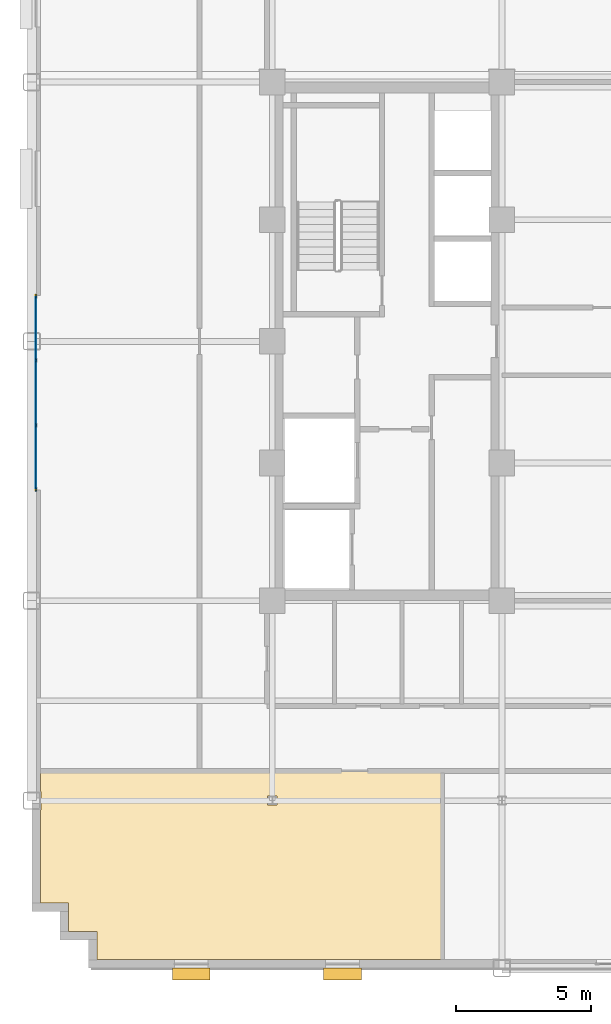
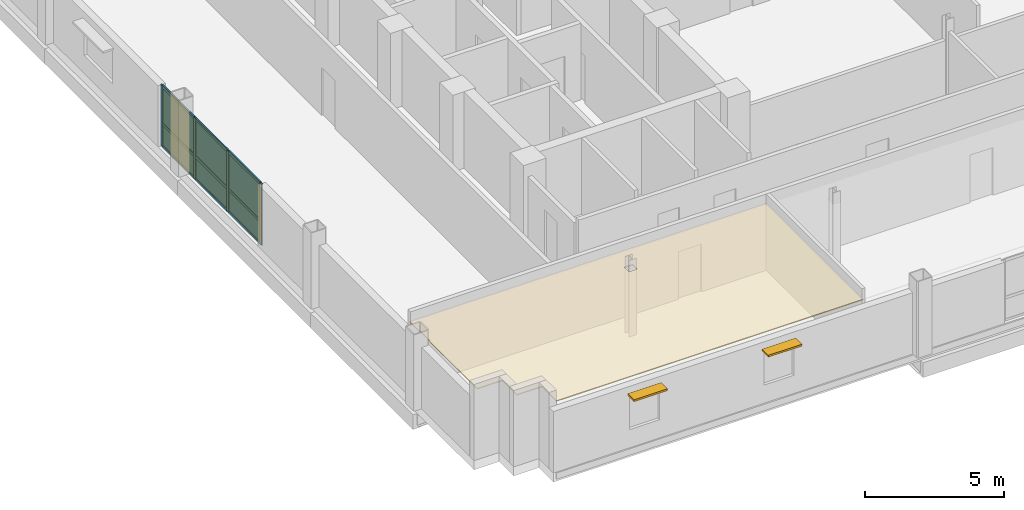
# One storey, part 12 of 17: 13 members, 6 plates, 2 shading devices, 1 covering, 1 curtain wall.
"""IFC4 building model written with IfcOpenShell, lengths in metres."""

from ifc_helpers import new_model, si_unit, direction, frame, frame_2d, origin, origin_2d, place, context, subcontext, project, spatial, polyline, rectangle, outline, extrude, source, transform, mapped, material, layer, layer_set, material_profile, profile_set, type_object, type_shapes, element, aggregate, save


model = new_model("IFC4")

# Units and contexts
model_context = context("Model", 3, precision=1e-05, world=origin(), true_north=direction((0.0, 1.0)))
body_context = subcontext(model_context, "Body", "Model", "MODEL_VIEW")
ifc_project = project(units=[si_unit("LENGTHUNIT", "METRE"), si_unit("AREAUNIT", "SQUARE_METRE"), si_unit("VOLUMEUNIT", "CUBIC_METRE"), si_unit("PLANEANGLEUNIT", "RADIAN"), si_unit("MASSUNIT", "GRAM", prefix="KILO")], contexts=[model_context])

# Member
ifc_material_1 = material(Name="Anodised aluminium 6063-T6", Category="aluminium")
ifc_material_profile_1 = material_profile(ifc_material_1, rectangle(XDim=0.06005859375, YDim=0.14990234375, at=origin_2d()), Name="ALU-MULL-60x150")
ifc_profile_set_1 = profile_set([ifc_material_profile_1], Name="Anodised aluminium 6063-T6")
member_type_1 = type_object("IfcMemberType", Name="CWM-4", PredefinedType="MULLION", material=ifc_profile_set_1)
site_placement = place(None, origin())
building_placement = place(site_placement, origin())
storey_placement = place(building_placement, frame((0.0, 0.0, 167.64990234375)))
member_1_placement = place(storey_placement, frame((-26.2451171875, -5.469970703125, 0.0), z_axis=(0.0, 0.0, 1.0), x_axis=(-1.0, 0.0, 0.0)))
member_1 = element("IfcMember", 1, at=member_1_placement, type_object=member_type_1, Name="CWS-4 mullion 1", PredefinedType="MULLION", context=body_context, shape_type="SweptSolid", body=[
    extrude(rectangle(XDim=0.06005859375, YDim=0.14990234375, at=origin_2d()), origin(), (0.0, 0.0, 1.0), 2.705078125),
])

member_2_placement = place(storey_placement, frame((-26.2451171875, -3.10009765625, 0.0), z_axis=(0.0, 0.0, 1.0), x_axis=(-1.0, 0.0, 0.0)))
member_2 = element("IfcMember", 2, at=member_2_placement, type_object=member_type_1, Name="CWS-4 mullion 2", PredefinedType="MULLION", context=body_context, shape_type="SweptSolid", body=[
    extrude(rectangle(XDim=0.06005859375, YDim=0.14990234375, at=origin_2d()), origin(), (0.0, 0.0, 1.0), 2.705078125),
])

member_3_placement = place(storey_placement, frame((-26.2451171875, -0.699951171875, 0.0), z_axis=(0.0, 0.0, 1.0), x_axis=(-1.0, 0.0, 0.0)))
member_3 = element("IfcMember", 3, at=member_3_placement, type_object=member_type_1, Name="CWS-4 mullion 3", PredefinedType="MULLION", context=body_context, shape_type="SweptSolid", body=[
    extrude(rectangle(XDim=0.06005859375, YDim=0.14990234375, at=origin_2d()), origin(), (0.0, 0.0, 1.0), 2.705078125),
])

member_4_placement = place(storey_placement, frame((-26.2451171875, 1.669921875, 0.0), z_axis=(0.0, 0.0, 1.0), x_axis=(-1.0, 0.0, 0.0)))
member_4 = element("IfcMember", 4, at=member_4_placement, type_object=member_type_1, Name="CWS-4 mullion 4", PredefinedType="MULLION", context=body_context, shape_type="SweptSolid", body=[
    extrude(rectangle(XDim=0.06005859375, YDim=0.14990234375, at=origin_2d()), origin(), (0.0, 0.0, 1.0), 2.705078125),
])

ifc_material_profile_2 = material_profile(ifc_material_1, rectangle(XDim=0.06005859375, YDim=0.1201171875, at=origin_2d()), Name="ALU-TRAN-60x120")
ifc_profile_set_2 = profile_set([ifc_material_profile_2], Name="Anodised aluminium 6063-T6")
member_type_2 = type_object("IfcMemberType", Name="CWT-4", PredefinedType="USERDEFINED", material=ifc_profile_set_2)
member_5_placement = place(storey_placement, frame((-26.2451171875, -5.43994140625, 0.030029296875), z_axis=(0.0, 1.0, 0.0), x_axis=(-1.0, 0.0, 0.0)))
member_5 = element("IfcMember", 5, at=member_5_placement, type_object=member_type_2, Name="CWS-4 transom 1.1", ObjectType="TRANSOM", PredefinedType="USERDEFINED", context=body_context, shape_type="SweptSolid", body=[
    extrude(rectangle(XDim=0.06005859375, YDim=0.1201171875, at=origin_2d()), origin(), (0.0, 0.0, 1.0), 2.31005859375),
])

member_6_placement = place(storey_placement, frame((-26.2451171875, -5.43994140625, 1.028076171875), z_axis=(0.0, 1.0, 0.0), x_axis=(-1.0, 0.0, 0.0)))
member_6 = element("IfcMember", 6, at=member_6_placement, type_object=member_type_2, Name="CWS-4 transom 1.2", ObjectType="TRANSOM", PredefinedType="USERDEFINED", context=body_context, shape_type="SweptSolid", body=[
    extrude(rectangle(XDim=0.06005859375, YDim=0.1201171875, at=origin_2d()), origin(), (0.0, 0.0, 1.0), 2.31005859375),
])

member_7_placement = place(storey_placement, frame((-26.2451171875, -5.43994140625, 2.675048828125), z_axis=(0.0, 1.0, 0.0), x_axis=(-1.0, 0.0, 0.0)))
member_7 = element("IfcMember", 7, at=member_7_placement, type_object=member_type_2, Name="CWS-4 transom 1.3", ObjectType="TRANSOM", PredefinedType="USERDEFINED", context=body_context, shape_type="SweptSolid", body=[
    extrude(rectangle(XDim=0.06005859375, YDim=0.1201171875, at=origin_2d()), origin(), (0.0, 0.0, 1.0), 2.31005859375),
])

member_8_placement = place(storey_placement, frame((-26.2451171875, -3.070068359375, 0.030029296875), z_axis=(0.0, 1.0, 0.0), x_axis=(-1.0, 0.0, 0.0)))
member_8 = element("IfcMember", 8, at=member_8_placement, type_object=member_type_2, Name="CWS-4 transom 2.1", ObjectType="TRANSOM", PredefinedType="USERDEFINED", context=body_context, shape_type="SweptSolid", body=[
    extrude(rectangle(XDim=0.06005859375, YDim=0.1201171875, at=origin_2d()), origin(), (0.0, 0.0, 1.0), 2.340087890625),
])

member_9_placement = place(storey_placement, frame((-26.2451171875, -3.070068359375, 1.028076171875), z_axis=(0.0, 1.0, 0.0), x_axis=(-1.0, 0.0, 0.0)))
member_9 = element("IfcMember", 9, at=member_9_placement, type_object=member_type_2, Name="CWS-4 transom 2.2", ObjectType="TRANSOM", PredefinedType="USERDEFINED", context=body_context, shape_type="SweptSolid", body=[
    extrude(rectangle(XDim=0.06005859375, YDim=0.1201171875, at=origin_2d()), origin(), (0.0, 0.0, 1.0), 2.340087890625),
])

member_10_placement = place(storey_placement, frame((-26.2451171875, -3.070068359375, 2.675048828125), z_axis=(0.0, 1.0, 0.0), x_axis=(-1.0, 0.0, 0.0)))
member_10 = element("IfcMember", 10, at=member_10_placement, type_object=member_type_2, Name="CWS-4 transom 2.3", ObjectType="TRANSOM", PredefinedType="USERDEFINED", context=body_context, shape_type="SweptSolid", body=[
    extrude(rectangle(XDim=0.06005859375, YDim=0.1201171875, at=origin_2d()), origin(), (0.0, 0.0, 1.0), 2.340087890625),
])

member_11_placement = place(storey_placement, frame((-26.2451171875, -0.669921875, 0.030029296875), z_axis=(0.0, 1.0, 0.0), x_axis=(-1.0, 0.0, 0.0)))
member_11 = element("IfcMember", 11, at=member_11_placement, type_object=member_type_2, Name="CWS-4 transom 3.1", ObjectType="TRANSOM", PredefinedType="USERDEFINED", context=body_context, shape_type="SweptSolid", body=[
    extrude(rectangle(XDim=0.06005859375, YDim=0.1201171875, at=origin_2d()), origin(), (0.0, 0.0, 1.0), 2.309814453125),
])

member_12_placement = place(storey_placement, frame((-26.2451171875, -0.669921875, 1.028076171875), z_axis=(0.0, 1.0, 0.0), x_axis=(-1.0, 0.0, 0.0)))
member_12 = element("IfcMember", 12, at=member_12_placement, type_object=member_type_2, Name="CWS-4 transom 3.2", ObjectType="TRANSOM", PredefinedType="USERDEFINED", context=body_context, shape_type="SweptSolid", body=[
    extrude(rectangle(XDim=0.06005859375, YDim=0.1201171875, at=origin_2d()), origin(), (0.0, 0.0, 1.0), 2.309814453125),
])

member_13_placement = place(storey_placement, frame((-26.2451171875, -0.669921875, 2.675048828125), z_axis=(0.0, 1.0, 0.0), x_axis=(-1.0, 0.0, 0.0)))
member_13 = element("IfcMember", 13, at=member_13_placement, type_object=member_type_2, Name="CWS-4 transom 3.3", ObjectType="TRANSOM", PredefinedType="USERDEFINED", context=body_context, shape_type="SweptSolid", body=[
    extrude(rectangle(XDim=0.06005859375, YDim=0.1201171875, at=origin_2d()), origin(), (0.0, 0.0, 1.0), 2.309814453125),
])

# Plate
ifc_material_2 = material(Name="Insulated solar-control glass", Category="glass")
ifc_layer_1 = layer(ifc_material_2, 0.02587890625, Name="CWP-4")
ifc_layer_set_1 = layer_set([ifc_layer_1], Name="Insulated solar-control glass")
plate_type = type_object("IfcPlateType", Name="CWP-4", PredefinedType="CURTAIN_PANEL", material=ifc_layer_set_1)
shared_shape_1 = source(origin(), body_context, "Body", "SweptSolid", [
    extrude(rectangle(XDim=2.31005859375, YDim=0.02587890625, at=origin_2d()), origin(), (0.0, 0.0, 1.0), 0.93798828125),
])
plate_1_placement = place(storey_placement, frame((-26.2451171875, -4.284912109375, 0.06005859375), z_axis=(0.0, 0.0, 1.0), x_axis=(0.0, 1.0, 0.0)))
plate_1 = element("IfcPlate", 14, at=plate_1_placement, type_object=plate_type, Name="CWS-4 panel 1.1", PredefinedType="CURTAIN_PANEL", context=body_context, shape_type="MappedRepresentation", body=[
    mapped(shared_shape_1, transform((0.0, 0.0, 0.0), scale=1.0)),
])

plate_2_placement = place(storey_placement, frame((-26.2451171875, 0.485107421875, 0.06005859375), z_axis=(0.0, 0.0, 1.0), x_axis=(0.0, 1.0, 0.0)))
plate_2 = element("IfcPlate", 15, at=plate_2_placement, type_object=plate_type, Name="CWS-4 panel 3.1", PredefinedType="CURTAIN_PANEL", context=body_context, shape_type="MappedRepresentation", body=[
    mapped(shared_shape_1, transform((0.0, 0.0, 0.0), scale=1.0)),
])

shared_shape_2 = source(origin(), body_context, "Body", "SweptSolid", [
    extrude(rectangle(XDim=2.31005859375, YDim=0.02587890625, at=origin_2d()), origin(), (0.0, 0.0, 1.0), 1.587158203125),
])
plate_3_placement = place(storey_placement, frame((-26.2451171875, -4.284912109375, 1.05810546875), z_axis=(0.0, 0.0, 1.0), x_axis=(0.0, 1.0, 0.0)))
plate_3 = element("IfcPlate", 16, at=plate_3_placement, type_object=plate_type, Name="CWS-4 panel 1.2", PredefinedType="CURTAIN_PANEL", context=body_context, shape_type="MappedRepresentation", body=[
    mapped(shared_shape_2, transform((0.0, 0.0, 0.0), scale=1.0)),
])

plate_4_placement = place(storey_placement, frame((-26.2451171875, 0.485107421875, 1.05810546875), z_axis=(0.0, 0.0, 1.0), x_axis=(0.0, 1.0, 0.0)))
plate_4 = element("IfcPlate", 17, at=plate_4_placement, type_object=plate_type, Name="CWS-4 panel 3.2", PredefinedType="CURTAIN_PANEL", context=body_context, shape_type="MappedRepresentation", body=[
    mapped(shared_shape_2, transform((0.0, 0.0, 0.0), scale=1.0)),
])

shared_shape_3 = source(origin(), body_context, "Body", "SweptSolid", [
    extrude(rectangle(XDim=2.340087890625, YDim=0.02587890625, at=origin_2d()), origin(), (0.0, 0.0, 1.0), 0.93798828125),
])
plate_5_placement = place(storey_placement, frame((-26.2451171875, -1.89990234375, 0.06005859375), z_axis=(0.0, 0.0, 1.0), x_axis=(0.0, 1.0, 0.0)))
plate_5 = element("IfcPlate", 18, at=plate_5_placement, type_object=plate_type, Name="CWS-4 panel 2.1", PredefinedType="CURTAIN_PANEL", context=body_context, shape_type="MappedRepresentation", body=[
    mapped(shared_shape_3, transform((0.0, 0.0, 0.0), scale=1.0)),
])

shared_shape_4 = source(origin(), body_context, "Body", "SweptSolid", [
    extrude(rectangle(XDim=2.340087890625, YDim=0.02587890625, at=origin_2d()), origin(), (0.0, 0.0, 1.0), 1.587158203125),
])
type_shapes(plate_type, [shared_shape_1, shared_shape_2, shared_shape_3, shared_shape_4])
plate_6_placement = place(storey_placement, frame((-26.2451171875, -1.89990234375, 1.05810546875), z_axis=(0.0, 0.0, 1.0), x_axis=(0.0, 1.0, 0.0)))
plate_6 = element("IfcPlate", 19, at=plate_6_placement, type_object=plate_type, Name="CWS-4 panel 2.2", PredefinedType="CURTAIN_PANEL", context=body_context, shape_type="MappedRepresentation", body=[
    mapped(shared_shape_4, transform((0.0, 0.0, 0.0), scale=1.0)),
])

# Site, building, storey
site = spatial("IfcSite", under=ifc_project, at=site_placement, CompositionType="ELEMENT")
building = spatial("IfcBuilding", under=site, at=building_placement, Name="Nuvemarco Arch Tower", CompositionType="ELEMENT")
storey = spatial("IfcBuildingStorey", under=building, at=storey_placement, Name="L44", CompositionType="ELEMENT", Elevation=167.64990234375)

# Curtain wall
ifc_layer_2 = layer(ifc_material_2, 0.14990234375, Name="CW-SYS-4")
ifc_layer_set_2 = layer_set([ifc_layer_2], Name="Insulated solar-control glass")
curtain_wall_type = type_object("IfcCurtainWallType", Name="CW-SYS-4", PredefinedType="NOTDEFINED", material=ifc_layer_set_2)
curtain_wall_placement = place(storey_placement, frame((-26.2451171875, -5.5, 0.0), z_axis=(0.0, 0.0, 1.0), x_axis=(0.0, 1.0, 0.0)))
curtain_wall = element("IfcCurtainWall", 20, at=curtain_wall_placement, inside=storey, type_object=curtain_wall_type, Name="L44 curtain wall CWS-4", PredefinedType="NOTDEFINED", context=body_context, shape_type="SweptSolid", body=[
    extrude(rectangle(XDim=7.199951171875, YDim=0.02001953125, at=frame_2d((3.60009765625, 0.0))), origin(), (0.0, 0.0, 1.0), 2.705078125),
])

aggregate(curtain_wall, [member_1, member_2, member_3, member_4, member_5, member_6, member_7, plate_1, plate_3, member_8, member_9, member_10, plate_5, plate_6, member_11, member_12, member_13, plate_2, plate_4])

# Covering
ifc_material_3 = material(Name="Mineral acoustic ceiling tile")
ifc_layer_3 = layer(ifc_material_3, 0.0400390625, Name="COV-ACOUSTIC-CLG")
ifc_layer_set_3 = layer_set([ifc_layer_3], Name="Mineral acoustic ceiling tile")
covering_type = type_object("IfcCoveringType", Name="COV-ACOUSTIC-CLG", PredefinedType="CEILING", material=ifc_layer_set_3)
covering_placement = place(storey_placement, frame((0.0, 0.0, 2.85009765625)))
element("IfcCovering", 21, at=covering_placement, inside=storey, type_object=covering_type, Name="L44 suspended acoustic ceiling 3", PredefinedType="CEILING", context=body_context, shape_type="SweptSolid", body=[
    extrude(outline(polyline([(-26.090087890625, -20.7900390625), (-26.090087890625, -17.340087890625), (-26.06005859375, -17.340087890625), (-26.06005859375, -16.659912109375), (-26.090087890625, -16.659912109375), (-26.090087890625, -15.89990234375), (-20.199951171875, -15.89990234375), (-17.699951171875, -15.89990234375), (-11.199951171875, -15.89990234375), (-11.199951171875, -22.889892578125), (-23.989990234375, -22.889892578125), (-23.989990234375, -21.840087890625), (-25.0400390625, -21.840087890625), (-25.0400390625, -20.7900390625), (-26.090087890625, -20.7900390625)]), holes=[polyline([(-17.330078125, -16.830078125), (-17.669921875, -16.830078125), (-17.669921875, -17.169921875), (-17.330078125, -17.169921875), (-17.330078125, -16.830078125)])]), origin(), (0.0, 0.0, 1.0), 0.0400390625),
])

# Shading devices
shading_device_type = type_object("IfcShadingDeviceType", Name="SHD-BRISE-NARROW", PredefinedType="USERDEFINED", material=ifc_material_1)
shared_shape_5 = source(origin(), body_context, "Body", "SweptSolid", [
    extrude(rectangle(XDim=1.39990234375, YDim=0.449951171875, at=origin_2d()), origin(), (0.0, 0.0, 1.0), 0.080078125),
])
type_shapes(shading_device_type, [shared_shape_5])
for number, where, z_axis, x_axis, name in (
    (22, (-20.5, -23.4150390625, 2.324951171875), (0.0, 0.0, 1.0), (1.0, 0.0, 0.0), "L44 horizontal brise-soleil sunshade"),
    (23, (-14.89990234375, -23.4150390625, 2.324951171875), (0.0, 0.0, 1.0), (1.0, 0.0, 0.0), "L44 horizontal brise-soleil sunshade"),
):
    element("IfcShadingDevice", number, at=place(storey_placement, frame(where, z_axis=z_axis, x_axis=x_axis)), inside=storey, type_object=shading_device_type, Name=name, ObjectType="SUNSHADE", PredefinedType="USERDEFINED", context=body_context, shape_type="MappedRepresentation", body=[
        mapped(shared_shape_5, transform((0.0, 0.0, 0.0), scale=1.0)),
    ])

save(model, "model.ifc")
